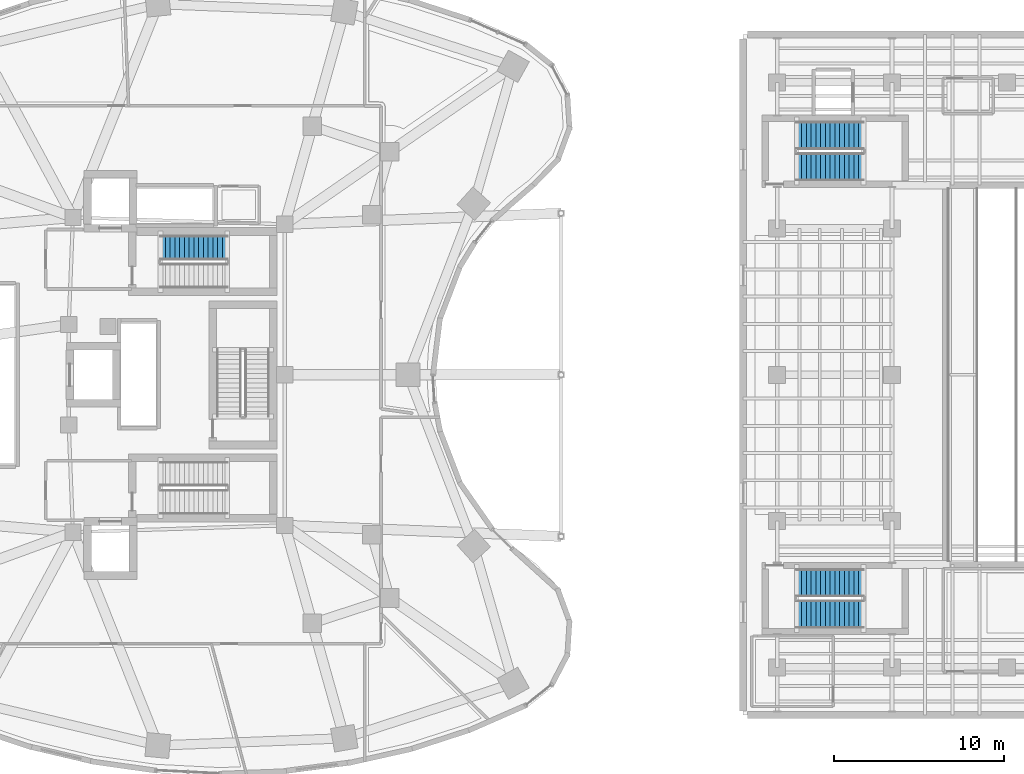
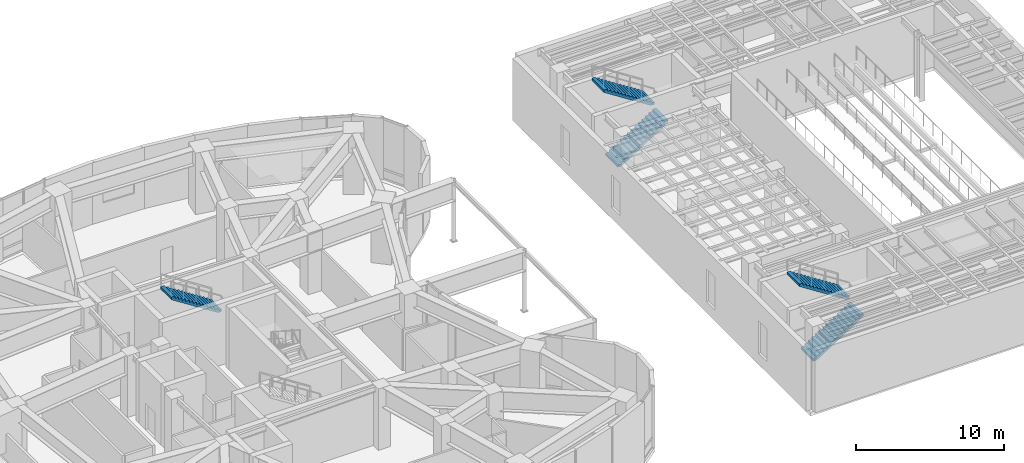
# One storey, part 19 of 23: 5 stair flights, 3 elements without a shape of their own.
"""IFC4 building model written with IfcOpenShell, lengths in metres."""

from ifc_helpers import new_model, si_unit, direction, frame, origin, place, context, subcontext, project, spatial, polyline, outline, extrude, material, type_object, element, aggregate, save


model = new_model("IFC4")

# Units and contexts
model_context = context("Model", 3, precision=1e-05, world=origin(), true_north=direction((0.0, 1.0)))
body_context = subcontext(model_context, "Body", "Model", "MODEL_VIEW")
ifc_project = project(units=[si_unit("LENGTHUNIT", "METRE"), si_unit("AREAUNIT", "SQUARE_METRE"), si_unit("VOLUMEUNIT", "CUBIC_METRE"), si_unit("PLANEANGLEUNIT", "RADIAN"), si_unit("MASSUNIT", "GRAM", prefix="KILO")], contexts=[model_context])

# Site, building, storey
site_placement = place(None, origin())
site = spatial("IfcSite", under=ifc_project, at=site_placement, CompositionType="ELEMENT")
building_placement = place(site_placement, origin())
building = spatial("IfcBuilding", under=site, at=building_placement, Name="Korentha Bioscience Tower", CompositionType="ELEMENT")
storey_placement = place(building_placement, frame((0.0, 0.0, 15.0)))
storey = spatial("IfcBuildingStorey", under=building, at=storey_placement, Name="L03", CompositionType="ELEMENT", Elevation=15.0)

# Stair, stair flight
ifc_material = material(Name="Precast Concrete C50", Category="concrete")
stair_type_1 = type_object("IfcStairType", Name="Core Exit Dog-Leg Stair 1450", PredefinedType="HALF_TURN_STAIR", material=ifc_material)
stair_1_placement = place(storey_placement, origin())
stair_1 = element("IfcStair", 1, at=stair_1_placement, inside=storey, type_object=stair_type_1, Name="L03 Tower North Pressurized Exit Stair ST-1", PredefinedType="HALF_TURN_STAIR")
stair_flight_type_1 = type_object("IfcStairFlightType", Name="Core Exit Dog-Leg Stair 1450 Flight", PredefinedType="STRAIGHT", material=ifc_material)
stair_flight_1_placement = place(storey_placement, frame((34.169921875, 34.47509765625, 2.699951171875), z_axis=(0.0, 0.0, 1.0), x_axis=(-1.0, 0.0, 0.0)))
stair_flight_1 = element("IfcStairFlight", 2, at=stair_flight_1_placement, type_object=stair_flight_type_1, Name="ST-1 flight 2", NumberOfRisers=15, NumberOfTreads=14, PredefinedType="STRAIGHT", RiserHeight=0.18, TreadLength=0.28, context=body_context, shape_type="SweptSolid", body=[
    extrude(outline(polyline([(0.0, 0.0), (0.0, 0.179931640625), (0.280029296875, 0.179931640625), (0.280029296875, 0.360107421875), (0.56005859375, 0.360107421875), (0.56005859375, 0.5400390625), (0.840087890625, 0.5400390625), (0.840087890625, 0.719970703125), (1.1201171875, 0.719970703125), (1.1201171875, 0.89990234375), (1.39990234375, 0.89990234375), (1.39990234375, 1.080078125), (1.679931640625, 1.080078125), (1.679931640625, 1.260009765625), (1.9599609375, 1.260009765625), (1.9599609375, 1.43994140625), (2.239990234375, 1.43994140625), (2.239990234375, 1.6201171875), (2.52001953125, 1.6201171875), (2.52001953125, 1.800048828125), (2.800048828125, 1.800048828125), (2.800048828125, 1.97998046875), (3.080078125, 1.97998046875), (3.080078125, 2.159912109375), (3.360107421875, 2.159912109375), (3.360107421875, 2.340087890625), (3.639892578125, 2.340087890625), (3.639892578125, 2.52001953125), (3.919921875, 2.52001953125), (3.919921875, 2.699951171875), (3.919921875, 2.329833984375), (0.295654296875, 0.0), (0.0, 0.0)])), frame((0.0, 0.72509765625, 0.0), z_axis=(0.0, -1.0, 0.0), x_axis=(1.0, 0.0, 0.0)), (0.0, 0.0, 1.0), 1.449951171875),
])
aggregate(stair_1, [stair_flight_1])

# Stair, stair flights
stair_type_2 = type_object("IfcStairType", Name="Theatre Public Dog-Leg Stair 1650", PredefinedType="HALF_TURN_STAIR", material=ifc_material)
stair_2_placement = place(storey_placement, origin())
stair_2 = element("IfcStair", 3, at=stair_2_placement, inside=storey, type_object=stair_type_2, Name="L03 Civic Theatre South Exit Stair ST-T1", PredefinedType="HALF_TURN_STAIR")
stair_flight_type_2 = type_object("IfcStairFlightType", Name="Theatre Public Dog-Leg Stair 1650 Flight", PredefinedType="STRAIGHT", material=ifc_material)
stair_flight_2_placement = place(storey_placement, frame((67.64990234375, 12.925048828125, 0.0), z_axis=(0.0, 0.0, 1.0), x_axis=(1.0, 0.0, 0.0)))
stair_flight_2 = element("IfcStairFlight", 4, at=stair_flight_2_placement, type_object=stair_flight_type_2, Name="ST-T1 flight 1", NumberOfRisers=15, NumberOfTreads=14, PredefinedType="STRAIGHT", RiserHeight=0.18, TreadLength=0.28, context=body_context, shape_type="SweptSolid", body=[
    extrude(outline(polyline([(0.0, 0.0), (0.0, 0.179931640625), (0.280029296875, 0.179931640625), (0.280029296875, 0.360107421875), (0.56005859375, 0.360107421875), (0.56005859375, 0.5400390625), (0.840087890625, 0.5400390625), (0.840087890625, 0.719970703125), (1.1201171875, 0.719970703125), (1.1201171875, 0.89990234375), (1.39990234375, 0.89990234375), (1.39990234375, 1.080078125), (1.679931640625, 1.080078125), (1.679931640625, 1.260009765625), (1.9599609375, 1.260009765625), (1.9599609375, 1.43994140625), (2.239990234375, 1.43994140625), (2.239990234375, 1.6201171875), (2.52001953125, 1.6201171875), (2.52001953125, 1.800048828125), (2.800048828125, 1.800048828125), (2.800048828125, 1.97998046875), (3.080078125, 1.97998046875), (3.080078125, 2.159912109375), (3.360107421875, 2.159912109375), (3.360107421875, 2.340087890625), (3.639892578125, 2.340087890625), (3.639892578125, 2.52001953125), (3.919921875, 2.52001953125), (3.919921875, 2.699951171875), (3.919921875, 2.329833984375), (0.295654296875, 0.0), (0.0, 0.0)])), frame((0.0, 0.824951171875, 0.0), z_axis=(0.0, -1.0, 0.0), x_axis=(1.0, 0.0, 0.0)), (0.0, 0.0, 1.0), 1.64990234375),
])
stair_flight_3_placement = place(storey_placement, frame((71.570068359375, 14.77490234375, 2.699951171875), z_axis=(0.0, 0.0, 1.0), x_axis=(-1.0, 0.0, 0.0)))
stair_flight_3 = element("IfcStairFlight", 5, at=stair_flight_3_placement, type_object=stair_flight_type_2, Name="ST-T1 flight 2", NumberOfRisers=15, NumberOfTreads=14, PredefinedType="STRAIGHT", RiserHeight=0.18, TreadLength=0.28, context=body_context, shape_type="SweptSolid", body=[
    extrude(outline(polyline([(0.0, 0.0), (0.0, 0.179931640625), (0.280029296875, 0.179931640625), (0.280029296875, 0.360107421875), (0.56005859375, 0.360107421875), (0.56005859375, 0.5400390625), (0.840087890625, 0.5400390625), (0.840087890625, 0.719970703125), (1.1201171875, 0.719970703125), (1.1201171875, 0.89990234375), (1.39990234375, 0.89990234375), (1.39990234375, 1.080078125), (1.679931640625, 1.080078125), (1.679931640625, 1.260009765625), (1.9599609375, 1.260009765625), (1.9599609375, 1.43994140625), (2.239990234375, 1.43994140625), (2.239990234375, 1.6201171875), (2.52001953125, 1.6201171875), (2.52001953125, 1.800048828125), (2.800048828125, 1.800048828125), (2.800048828125, 1.97998046875), (3.080078125, 1.97998046875), (3.080078125, 2.159912109375), (3.360107421875, 2.159912109375), (3.360107421875, 2.340087890625), (3.639892578125, 2.340087890625), (3.639892578125, 2.52001953125), (3.919921875, 2.52001953125), (3.919921875, 2.699951171875), (3.919921875, 2.329833984375), (0.295654296875, 0.0), (0.0, 0.0)])), frame((0.0, 0.824951171875, 0.0), z_axis=(0.0, -1.0, 0.0), x_axis=(1.0, 0.0, 0.0)), (0.0, 0.0, 1.0), 1.64990234375),
])
aggregate(stair_2, [stair_flight_2, stair_flight_3])

stair_3_placement = place(storey_placement, origin())
stair_3 = element("IfcStair", 6, at=stair_3_placement, inside=storey, type_object=stair_type_2, Name="L03 Civic Theatre North Exit Stair ST-T2", PredefinedType="HALF_TURN_STAIR")
stair_flight_4_placement = place(storey_placement, frame((67.64990234375, 39.22509765625, 0.0), z_axis=(0.0, 0.0, 1.0), x_axis=(1.0, 0.0, 0.0)))
stair_flight_4 = element("IfcStairFlight", 7, at=stair_flight_4_placement, type_object=stair_flight_type_2, Name="ST-T2 flight 1", NumberOfRisers=15, NumberOfTreads=14, PredefinedType="STRAIGHT", RiserHeight=0.18, TreadLength=0.28, context=body_context, shape_type="SweptSolid", body=[
    extrude(outline(polyline([(0.0, 0.0), (0.0, 0.179931640625), (0.280029296875, 0.179931640625), (0.280029296875, 0.360107421875), (0.56005859375, 0.360107421875), (0.56005859375, 0.5400390625), (0.840087890625, 0.5400390625), (0.840087890625, 0.719970703125), (1.1201171875, 0.719970703125), (1.1201171875, 0.89990234375), (1.39990234375, 0.89990234375), (1.39990234375, 1.080078125), (1.679931640625, 1.080078125), (1.679931640625, 1.260009765625), (1.9599609375, 1.260009765625), (1.9599609375, 1.43994140625), (2.239990234375, 1.43994140625), (2.239990234375, 1.6201171875), (2.52001953125, 1.6201171875), (2.52001953125, 1.800048828125), (2.800048828125, 1.800048828125), (2.800048828125, 1.97998046875), (3.080078125, 1.97998046875), (3.080078125, 2.159912109375), (3.360107421875, 2.159912109375), (3.360107421875, 2.340087890625), (3.639892578125, 2.340087890625), (3.639892578125, 2.52001953125), (3.919921875, 2.52001953125), (3.919921875, 2.699951171875), (3.919921875, 2.329833984375), (0.295654296875, 0.0), (0.0, 0.0)])), frame((0.0, 0.824951171875, 0.0), z_axis=(0.0, -1.0, 0.0), x_axis=(1.0, 0.0, 0.0)), (0.0, 0.0, 1.0), 1.64990234375),
])
stair_flight_5_placement = place(storey_placement, frame((71.570068359375, 41.074951171875, 2.699951171875), z_axis=(0.0, 0.0, 1.0), x_axis=(-1.0, 0.0, 0.0)))
stair_flight_5 = element("IfcStairFlight", 8, at=stair_flight_5_placement, type_object=stair_flight_type_2, Name="ST-T2 flight 2", NumberOfRisers=15, NumberOfTreads=14, PredefinedType="STRAIGHT", RiserHeight=0.18, TreadLength=0.28, context=body_context, shape_type="SweptSolid", body=[
    extrude(outline(polyline([(0.0, 0.0), (0.0, 0.179931640625), (0.280029296875, 0.179931640625), (0.280029296875, 0.360107421875), (0.56005859375, 0.360107421875), (0.56005859375, 0.5400390625), (0.840087890625, 0.5400390625), (0.840087890625, 0.719970703125), (1.1201171875, 0.719970703125), (1.1201171875, 0.89990234375), (1.39990234375, 0.89990234375), (1.39990234375, 1.080078125), (1.679931640625, 1.080078125), (1.679931640625, 1.260009765625), (1.9599609375, 1.260009765625), (1.9599609375, 1.43994140625), (2.239990234375, 1.43994140625), (2.239990234375, 1.6201171875), (2.52001953125, 1.6201171875), (2.52001953125, 1.800048828125), (2.800048828125, 1.800048828125), (2.800048828125, 1.97998046875), (3.080078125, 1.97998046875), (3.080078125, 2.159912109375), (3.360107421875, 2.159912109375), (3.360107421875, 2.340087890625), (3.639892578125, 2.340087890625), (3.639892578125, 2.52001953125), (3.919921875, 2.52001953125), (3.919921875, 2.699951171875), (3.919921875, 2.329833984375), (0.295654296875, 0.0), (0.0, 0.0)])), frame((0.0, 0.824951171875, 0.0), z_axis=(0.0, -1.0, 0.0), x_axis=(1.0, 0.0, 0.0)), (0.0, 0.0, 1.0), 1.64990234375),
])
aggregate(stair_3, [stair_flight_4, stair_flight_5])

save(model, "model.ifc")
